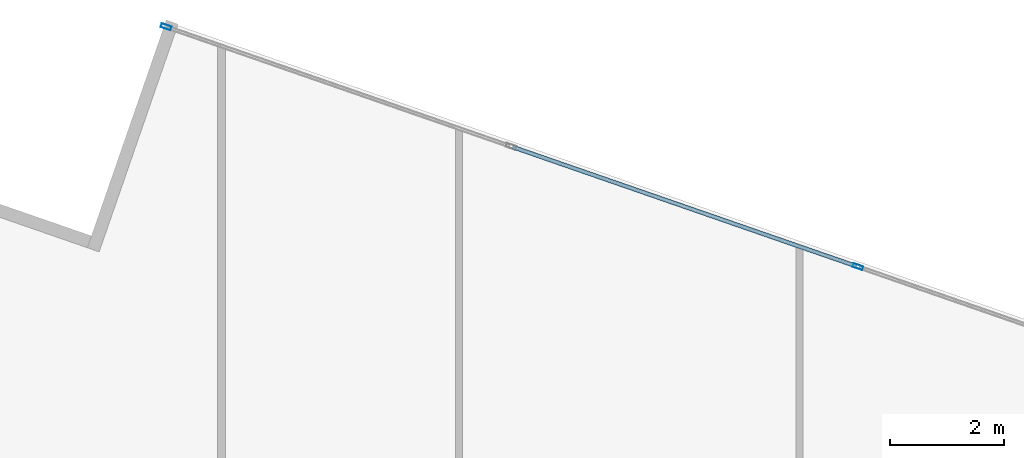
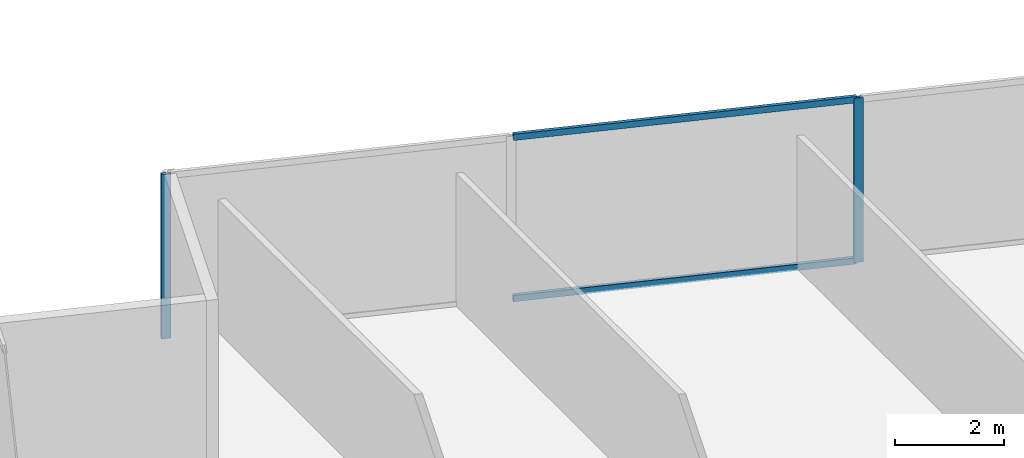
# One storey, part 18 of 27: 4 members, 1 element without a shape of its own.
"""IFC4 building model written with IfcOpenShell, lengths in metres."""

import ifcopenshell
import ifcopenshell.guid

model = None  # the IFC model being written
_history = None  # IfcOwnerHistory: only IFC2X3 demands one
_inside = {}  # id of a spatial element -> (the spatial element, [elements in it])
_under = {}  # id of a project, library or spatial element -> (it, [spatial elements below it])
_declared = {}  # id of a project -> (the project, [libraries it declares])
_typed = {}  # id of a type object -> (the type object, [elements of that type])
_made_of = {}  # id of a material, layer set ... -> (it, [elements and type objects made of it])


def new_model(schema):
    """Start an empty IFC model of exactly this schema.

    Asked for "IFC4X3", IfcOpenShell would pick the latest addendum, in which some entities
    have other attributes; the version numbers below select the first issue.
    IFC2X3 requires an IfcOwnerHistory on every rooted entity: one is made here for all.
    """
    global model, _history
    if schema == "IFC4X3":
        model = ifcopenshell.file(schema_version=(4, 3, 0, 0))
    else:
        model = ifcopenshell.file(schema=schema)
    _inside.clear()
    _under.clear()
    _declared.clear()
    _typed.clear()
    _made_of.clear()
    _history = None
    if model.schema == "IFC2X3":
        org = make("IfcOrganization", Name="unknown")
        user = make(
            "IfcPersonAndOrganization",
            ThePerson=make("IfcPerson", FamilyName="unknown"),
            TheOrganization=org,
        )
        app = make(
            "IfcApplication",
            ApplicationDeveloper=org,
            Version="unknown",
            ApplicationFullName="unknown",
            ApplicationIdentifier="unknown",
        )
        _history = make(
            "IfcOwnerHistory",
            OwningUser=user,
            OwningApplication=app,
            ChangeAction="ADDED",
            CreationDate=0,
        )
    return model


def make(cls, **values):
    """One entity of the class cls with the attributes given. An attribute that is None is left unset."""
    return model.create_entity(
        cls, **{name: value for name, value in values.items() if value is not None}
    )


def rooted(cls, **values):
    """An entity with a GlobalId (a new one), such as an element, a storey or a relation."""
    return make(cls, GlobalId=ifcopenshell.guid.new(), OwnerHistory=_history, **values)


def si_unit(unit_type, name, prefix=None):
    """IfcSIUnit, for example si_unit("LENGTHUNIT", "METRE", prefix="MILLI")."""
    return make("IfcSIUnit", UnitType=unit_type, Prefix=prefix, Name=name)


def assignment(units):
    """IfcUnitAssignment: the units of a project."""
    return None if units is None else make("IfcUnitAssignment", Units=units)


def point(xyz):
    """IfcCartesianPoint."""
    return None if xyz is None else make("IfcCartesianPoint", Coordinates=xyz)


def direction(xyz):
    """IfcDirection."""
    return None if xyz is None else make("IfcDirection", DirectionRatios=xyz)


def frame(location, z_axis=None, x_axis=None):
    """IfcAxis2Placement3D, a coordinate frame: its origin and axes. An axis left out is left unset."""
    return make(
        "IfcAxis2Placement3D",
        Location=point(location),
        Axis=direction(z_axis),
        RefDirection=direction(x_axis),
    )


def frame_2d(location, x_axis=None):
    """IfcAxis2Placement2D, a coordinate frame in the plane: its origin and x axis."""
    return make(
        "IfcAxis2Placement2D", Location=point(location), RefDirection=direction(x_axis)
    )


def origin():
    """The frame at (0, 0, 0) with its axes left unset."""
    return frame((0.0, 0.0, 0.0))


def origin_2d():
    """The frame at (0, 0) in the plane with its x axis left unset."""
    return frame_2d((0.0, 0.0))


def place(relative_to, where):
    """IfcLocalPlacement: puts the frame where relative to a parent placement (None: the world)."""
    return make(
        "IfcLocalPlacement", PlacementRelTo=relative_to, RelativePlacement=where
    )


def context(
    kind, dimensions, precision=None, world=None, true_north=None, identifier=None
):
    """IfcGeometricRepresentationContext, for example the 3D "Model" context."""
    return make(
        "IfcGeometricRepresentationContext",
        ContextIdentifier=identifier,
        ContextType=kind,
        CoordinateSpaceDimension=dimensions,
        Precision=precision,
        WorldCoordinateSystem=world,
        TrueNorth=true_north,
    )


def subcontext(parent, identifier, kind, view, scale=None):
    """IfcGeometricRepresentationSubContext, for example "Body" below "Model"."""
    return make(
        "IfcGeometricRepresentationSubContext",
        ContextIdentifier=identifier,
        ContextType=kind,
        ParentContext=parent,
        TargetScale=scale,
        TargetView=view,
    )


def project(units=None, contexts=None):
    """IfcProject with its units and contexts."""
    return rooted(
        "IfcProject",
        Name="project",
        RepresentationContexts=contexts,
        UnitsInContext=assignment(units),
    )


def spatial(cls, under=None, at=None, **own):
    """A site, building, storey or space (cls), placed at a placement, below another one or the project."""
    s = rooted(cls, ObjectPlacement=at, **own)
    if under is not None:
        _under.setdefault(under.id(), (under, []))[1].append(s)
    return s


def profile(cls, at=None, kind="AREA", **sizes):
    """A parametric profile (cls). Its sizes go by their IFC names, for example OverallWidth=200.0."""
    return make(cls, ProfileType=kind, Position=at, **sizes)


def hollow_rectangle(**sizes):
    """IfcRectangleHollowProfileDef."""
    return profile("IfcRectangleHollowProfileDef", **sizes)


def extrude(swept, where, along, depth):
    """IfcExtrudedAreaSolid: the profile swept, set in the frame where, extruded along a direction by depth."""
    return make(
        "IfcExtrudedAreaSolid",
        SweptArea=swept,
        Position=where,
        ExtrudedDirection=direction(along),
        Depth=depth,
    )


def shape(context_of_items, identifier, shape_type, items):
    """IfcShapeRepresentation: the items that make up one representation, for example the "Body"."""
    return make(
        "IfcShapeRepresentation",
        ContextOfItems=context_of_items,
        RepresentationIdentifier=identifier,
        RepresentationType=shape_type,
        Items=items,
    )


def source(mapping_origin, context_of_items, identifier, shape_type, items):
    """IfcRepresentationMap: a shape defined once, which mapped items show again and again."""
    return make(
        "IfcRepresentationMap",
        MappingOrigin=mapping_origin,
        MappedRepresentation=shape(context_of_items, identifier, shape_type, items),
    )


def transform(
    local_origin,
    x_axis=None,
    y_axis=None,
    z_axis=None,
    scale=None,
    scale2=None,
    scale3=None,
    uniform=True,
):
    """IfcCartesianTransformationOperator3D, or its non-uniform kind. x_axis, y_axis, z_axis: its Axis1, 2, 3."""
    if uniform:
        return make(
            "IfcCartesianTransformationOperator3D",
            Axis1=direction(x_axis),
            Axis2=direction(y_axis),
            LocalOrigin=point(local_origin),
            Scale=scale,
            Axis3=direction(z_axis),
        )
    return make(
        "IfcCartesianTransformationOperator3DnonUniform",
        Axis1=direction(x_axis),
        Axis2=direction(y_axis),
        LocalOrigin=point(local_origin),
        Scale=scale,
        Axis3=direction(z_axis),
        Scale2=scale2,
        Scale3=scale3,
    )


def mapped(mapping_source, mapping_target):
    """IfcMappedItem: shows the shape of a source again, moved by a transform."""
    return make(
        "IfcMappedItem", MappingSource=mapping_source, MappingTarget=mapping_target
    )


def material(Name=None, Category=None):
    """IfcMaterial."""
    return make("IfcMaterial", Name=Name, Category=Category)


def material_profile(
    of_material, cross_section, Name=None, Category=None, Priority=None
):
    """IfcMaterialProfile: a cross section and its material."""
    return make(
        "IfcMaterialProfile",
        Name=Name,
        Material=of_material,
        Profile=cross_section,
        Priority=Priority,
        Category=Category,
    )


def profile_set(profiles, Name=None, composite=None):
    """IfcMaterialProfileSet."""
    return make(
        "IfcMaterialProfileSet",
        Name=Name,
        MaterialProfiles=profiles,
        CompositeProfile=composite,
    )


def made_of(thing, what):
    """Note that an element or type object is made of a material, layer set ...; save() writes the relation."""
    if what is not None:
        _made_of.setdefault(what.id(), (what, []))[1].append(thing)
    return thing


def type_object(cls, material=None, **own):
    """A type object (cls), such as IfcWallType, which elements share."""
    return made_of(rooted(cls, **own), material)


def type_shapes(of_type, sources):
    """Give a type object the sources (RepresentationMaps) that its elements show as mapped items."""
    of_type.RepresentationMaps = sources


def element(
    cls,
    number,
    at=None,
    inside=None,
    cuts=None,
    type_object=None,
    material=None,
    context=None,
    identifier="Body",
    shape_type=None,
    held_by="IfcProductDefinitionShape",
    body=None,
    shapes=None,
    **own,
):
    """One element of the class cls, such as IfcWall. Its Tag is "e" and its number.

    at: its placement. inside: the storey or other place that contains it. cuts: it is an
    opening in that element (IfcRelVoidsElement). A single representation is given by context,
    identifier, shape_type and body (its items); several are given by shapes. held_by: the class
    of the entity that holds the representations. save() writes the other relations.
    """
    e = rooted(cls, Tag="e%d" % number, ObjectPlacement=at, **own)
    if body is not None:
        shapes = [shape(context, identifier, shape_type, body)]
    if shapes is not None:
        e.Representation = make(held_by, Representations=shapes)
    if inside is not None:
        _inside.setdefault(inside.id(), (inside, []))[1].append(e)
    if cuts is not None:
        rooted(
            "IfcRelVoidsElement", RelatingBuildingElement=cuts, RelatedOpeningElement=e
        )
    if type_object is not None:
        _typed.setdefault(type_object.id(), (type_object, []))[1].append(e)
    return made_of(e, material)


def aggregate(whole, parts):
    """IfcRelAggregates: a whole, such as a stair, and the parts it consists of."""
    return rooted("IfcRelAggregates", RelatingObject=whole, RelatedObjects=parts)


def save(model, path):
    """Write the relations noted so far, then the file.

    IfcRelAggregates (storeys below a building ...), IfcRelContainedInSpatialStructure (elements
    in a storey), IfcRelDefinesByType, IfcRelAssociatesMaterial and IfcRelDeclares: one each for
    every whole, place, type object, material and project.
    """
    for whole, parts in _under.values():
        aggregate(whole, parts)
    for where, things in _inside.values():
        rooted(
            "IfcRelContainedInSpatialStructure",
            RelatedElements=things,
            RelatingStructure=where,
        )
    for kind, things in _typed.values():
        rooted("IfcRelDefinesByType", RelatedObjects=things, RelatingType=kind)
    for what, things in _made_of.values():
        rooted("IfcRelAssociatesMaterial", RelatedObjects=things, RelatingMaterial=what)
    for by, libraries in _declared.values():
        rooted("IfcRelDeclares", RelatingContext=by, RelatedDefinitions=libraries)
    model.write(path)


model = new_model("IFC4")

# Units and contexts
model_context = context("Model", 3, precision=1e-05, world=origin(), true_north=direction((0.0, 1.0)))
body_context = subcontext(model_context, "Body", "Model", "MODEL_VIEW")
ifc_project = project(units=[si_unit("LENGTHUNIT", "METRE"), si_unit("AREAUNIT", "SQUARE_METRE"), si_unit("VOLUMEUNIT", "CUBIC_METRE"), si_unit("PLANEANGLEUNIT", "RADIAN"), si_unit("MASSUNIT", "GRAM", prefix="KILO")], contexts=[model_context])

# Site, building, storey
site_placement = place(None, origin())
site = spatial("IfcSite", under=ifc_project, at=site_placement, CompositionType="ELEMENT")
building_placement = place(site_placement, origin())
building = spatial("IfcBuilding", under=site, at=building_placement, Name="Krantzveldt Concourse Tower", CompositionType="ELEMENT")
storey_placement = place(building_placement, frame((0.0, 0.0, 121.64990234375)))
storey = spatial("IfcBuildingStorey", under=building, at=storey_placement, Name="L29", CompositionType="ELEMENT", Elevation=121.64990234375)

# Curtain wall, members
ifc_material = material(Name="Anodised aluminium 6063-T6", Category="aluminium")
curtain_wall_type = type_object("IfcCurtainWallType", Name="CW2", PredefinedType="USERDEFINED", material=ifc_material)
curtain_wall_placement = place(storey_placement, origin())
curtain_wall = element("IfcCurtainWall", 1, at=curtain_wall_placement, inside=storey, type_object=curtain_wall_type, Name="CW-L29-F10", ObjectType="UNITISED CURTAIN WALL", PredefinedType="USERDEFINED")
ifc_material_profile_1 = material_profile(ifc_material, hollow_rectangle(XDim=0.070068359375, YDim=0.179931640625, WallThickness=0.0048828125, at=origin_2d()), Name="Anodised aluminium 6063-T6", Category="aluminium")
ifc_profile_set_1 = profile_set([ifc_material_profile_1], Name="Anodised aluminium 6063-T6 - ALU-MULL 180x70x5")
member_type_1 = type_object("IfcMemberType", Name="CW-MUL-180", PredefinedType="MULLION", material=ifc_profile_set_1)
shared_shape_1 = source(origin(), body_context, "Body", "SweptSolid", [
    extrude(hollow_rectangle(XDim=0.070068359375, YDim=0.179931640625, WallThickness=0.0048828125, at=origin_2d()), origin(), (0.0, 0.0, 1.0), 3.670166015625),
])
type_shapes(member_type_1, [shared_shape_1])
member_1_placement = place(storey_placement, frame((37.52734375, 50.842041015625, 0.0), z_axis=(0.0, 0.0, 1.0), x_axis=(-0.32763019404, -0.944806041446, 0.0)))
member_1 = element("IfcMember", 2, at=member_1_placement, type_object=member_type_1, Name="CW-Z12 mullion 5", PredefinedType="MULLION", context=body_context, shape_type="MappedRepresentation", body=[
    mapped(shared_shape_1, transform((0.0, 0.0, 0.0), x_axis=(1.0, 0.0, 0.0), y_axis=(0.0, 1.0, 0.0), z_axis=(0.0, 0.0, 1.0), scale=1.0)),
])
member_2_placement = place(storey_placement, frame((25.3408203125, 55.06787109375, 0.0), z_axis=(0.0, 0.0, 1.0), x_axis=(-0.32763019404, -0.944806041446, 0.0)))
member_2 = element("IfcMember", 3, at=member_2_placement, type_object=member_type_1, Name="CW-Z12 mullion 7", PredefinedType="MULLION", context=body_context, shape_type="MappedRepresentation", body=[
    mapped(shared_shape_1, transform((0.0, 0.0, 0.0), x_axis=(1.0, 0.0, 0.0), y_axis=(0.0, 1.0, 0.0), z_axis=(0.0, 0.0, 1.0), scale=1.0)),
])
ifc_material_profile_2 = material_profile(ifc_material, hollow_rectangle(XDim=0.070068359375, YDim=0.139892578125, WallThickness=0.0048828125, at=origin_2d()), Name="Anodised aluminium 6063-T6", Category="aluminium")
ifc_profile_set_2 = profile_set([ifc_material_profile_2], Name="Anodised aluminium 6063-T6 - ALU-TRAN 140x70x5")
member_type_2 = type_object("IfcMemberType", Name="CW-TRN-150", PredefinedType="USERDEFINED", material=ifc_profile_set_2)
shared_shape_2 = source(origin(), body_context, "Body", "SweptSolid", [
    extrude(hollow_rectangle(XDim=0.070068359375, YDim=0.139892578125, WallThickness=0.0048828125, at=origin_2d()), origin(), (0.0, 0.0, 1.0), 6.396484375),
])
type_shapes(member_type_2, [shared_shape_2])
member_3_placement = place(storey_placement, frame((37.494140625, 50.853515625, 0.03515625), z_axis=(-0.944805325706, 0.327632258054, 0.0), x_axis=(-0.327632258054, -0.944805325706, 0.0)))
member_3 = element("IfcMember", 4, at=member_3_placement, type_object=member_type_2, Name="CW-Z12 transom 5.1", ObjectType="TRANSOM", PredefinedType="USERDEFINED", context=body_context, shape_type="MappedRepresentation", body=[
    mapped(shared_shape_2, transform((0.0, 0.0, 0.0), x_axis=(1.0, 0.0, 0.0), y_axis=(0.0, 1.0, 0.0), z_axis=(0.0, 0.0, 1.0), scale=1.0)),
])
member_4_placement = place(storey_placement, frame((37.494140625, 50.853515625, 3.635009765625), z_axis=(-0.944805325706, 0.327632258054, 0.0), x_axis=(-0.327632258054, -0.944805325706, 0.0)))
member_4 = element("IfcMember", 5, at=member_4_placement, type_object=member_type_2, Name="CW-Z12 transom 5.2", ObjectType="TRANSOM", PredefinedType="USERDEFINED", context=body_context, shape_type="MappedRepresentation", body=[
    mapped(shared_shape_2, transform((0.0, 0.0, 0.0), x_axis=(1.0, 0.0, 0.0), y_axis=(0.0, 1.0, 0.0), z_axis=(0.0, 0.0, 1.0), scale=1.0)),
])
aggregate(curtain_wall, [member_1, member_2, member_3, member_4])

save(model, "model.ifc")
